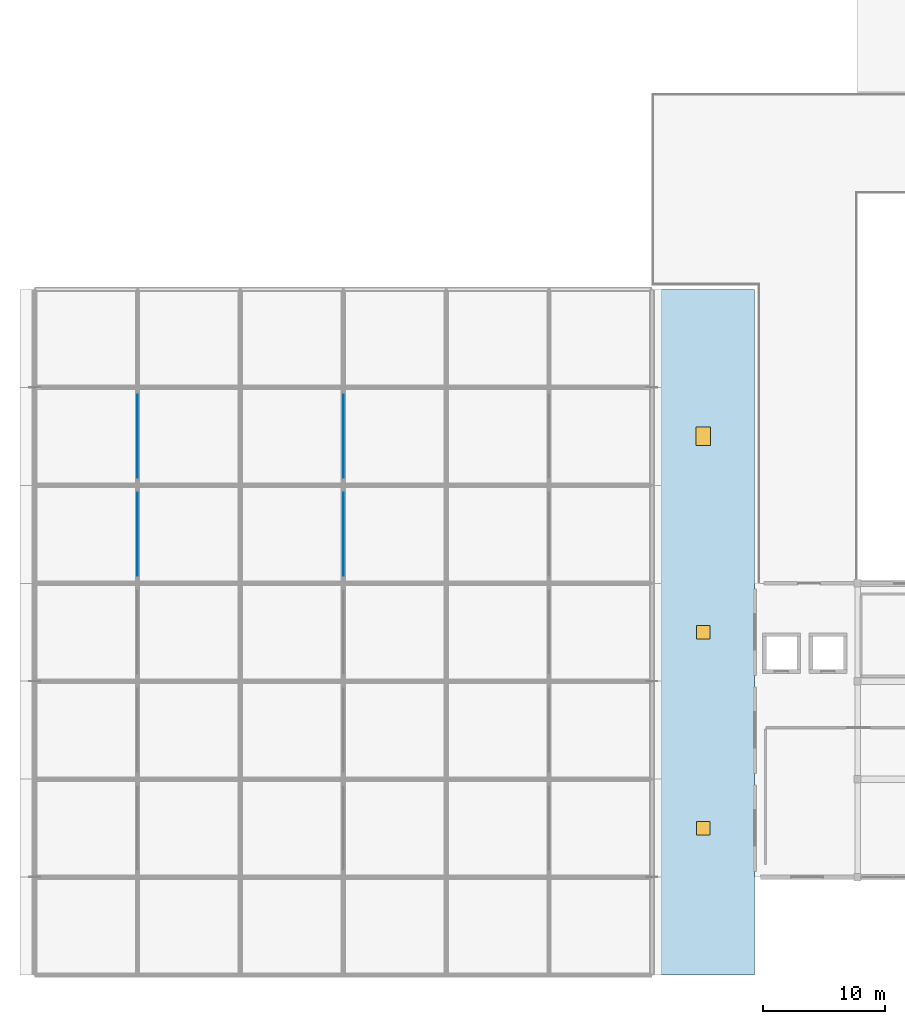
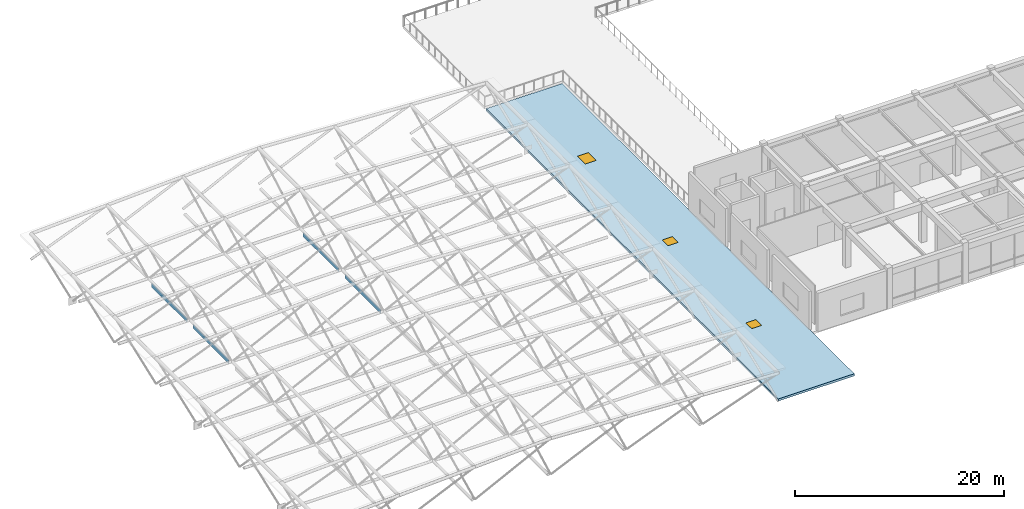
# One storey, part 16 of 37: 4 plates, 3 windows, 1 slab, 3 openings.
"""IFC4 building model written with IfcOpenShell, lengths in metres."""

from ifc_helpers import new_model, si_unit, direction, frame, origin, origin_2d, place, context, subcontext, project, spatial, polyline, rectangle, outline, extrude, material, layer, layer_set, type_object, element, fill, save


model = new_model("IFC4")

# Units and contexts
model_context = context("Model", 3, precision=1e-05, world=origin(), true_north=direction((0.0, 1.0)))
body_context = subcontext(model_context, "Body", "Model", "MODEL_VIEW")
ifc_project = project(units=[si_unit("LENGTHUNIT", "METRE"), si_unit("AREAUNIT", "SQUARE_METRE"), si_unit("VOLUMEUNIT", "CUBIC_METRE"), si_unit("PLANEANGLEUNIT", "RADIAN"), si_unit("MASSUNIT", "GRAM", prefix="KILO")], contexts=[model_context])

# Site, building, storey
site_placement = place(None, origin())
site = spatial("IfcSite", under=ifc_project, at=site_placement, CompositionType="ELEMENT")
building_placement = place(site_placement, origin())
building = spatial("IfcBuilding", under=site, at=building_placement, Name="Naruveol Harbour Congress Hotel", CompositionType="ELEMENT")
storey_placement = place(building_placement, frame((0.0, 0.0, 16.199951171875)))
storey = spatial("IfcBuildingStorey", under=building, at=storey_placement, Name="L03", CompositionType="ELEMENT", Elevation=16.199951171875)

# Plates
ifc_material_1 = material(Name="Precast concrete C40/50", Category="concrete")
ifc_layer_1 = layer(ifc_material_1, 0.0400390625)
ifc_layer_set_1 = layer_set([ifc_layer_1], Name="Precast concrete C40/50")
plate_type = type_object("IfcPlateType", Name="CONGRESS HALL SUSPENDED ACOUSTIC BAFFLE 40", PredefinedType="SHEET", material=ifc_layer_set_1)
for number, where, z_axis, x_axis, name in (
    (1, (8.39990234375, 36.0, -0.949951171875), (0.0, 0.0, 1.0), (1.0, 0.0, 0.0), "Congress Hall suspended acoustic baffle #4.8"),
    (2, (25.199951171875, 36.0, -0.949951171875), (0.0, 0.0, 1.0), (1.0, 0.0, 0.0), "Congress Hall suspended acoustic baffle #4.25"),
    (3, (8.39990234375, 44.0, -0.949951171875), (0.0, 0.0, 1.0), (1.0, 0.0, 0.0), "Congress Hall suspended acoustic baffle #5.8"),
    (4, (25.199951171875, 44.0, -0.949951171875), (0.0, 0.0, 1.0), (1.0, 0.0, 0.0), "Congress Hall suspended acoustic baffle #5.25"),
):
    element("IfcPlate", number, at=place(storey_placement, frame(where, z_axis=z_axis, x_axis=x_axis)), inside=storey, type_object=plate_type, Name=name, PredefinedType="SHEET", context=body_context, shape_type="SweptSolid", body=[
        extrude(rectangle(XDim=0.0400390625, YDim=6.800048828125, at=origin_2d()), origin(), (0.0, 0.0, 1.0), 0.5),
    ])

# Slab, openings, windows
ifc_material_2 = material(Name="Concrete C40/50", Category="concrete")
ifc_layer_2 = layer(ifc_material_2, 0.260009765625)
ifc_layer_set_2 = layer_set([ifc_layer_2], Name="Concrete C40/50")
slab_type = type_object("IfcSlabType", Name="RC PLANTED ROOF GARDEN SLAB 260", PredefinedType="ROOF", material=ifc_layer_set_2)
slab_placement = place(storey_placement, frame((0.0, 0.0, -0.260009765625)))
slab = element("IfcSlab", 5, at=slab_placement, inside=storey, type_object=slab_type, Name="Congress East Foyer planted roof slab", PredefinedType="ROOF", context=body_context, shape_type="SweptSolid", body=[
    extrude(outline(polyline([(50.39990234375, 0.0), (58.800048828125, 0.0), (58.800048828125, 56.0), (50.39990234375, 56.0), (50.39990234375, 0.0)])), origin(), (0.0, 0.0, 1.0), 0.260009765625),
])
opening_1_placement = place(slab_placement, frame((54.60009765625, 12.0, 0.0)))
opening_1 = element("IfcOpeningElement", 6, at=opening_1_placement, cuts=slab, Name="Opening RH-110", PredefinedType="OPENING", context=body_context, shape_type="SweptSolid", body=[
    extrude(rectangle(XDim=1.10009765625, YDim=1.10009765625, at=origin_2d()), origin(), (0.0, 0.0, 1.0), 0.260009765625),
])
opening_2_placement = place(slab_placement, frame((54.60009765625, 28.0, 0.0)))
opening_2 = element("IfcOpeningElement", 7, at=opening_2_placement, cuts=slab, Name="Opening RH-110", PredefinedType="OPENING", context=body_context, shape_type="SweptSolid", body=[
    extrude(rectangle(XDim=1.10009765625, YDim=1.10009765625, at=origin_2d()), origin(), (0.0, 0.0, 1.0), 0.260009765625),
])
opening_3_placement = place(slab_placement, frame((54.60009765625, 44.0, 0.0)))
opening_3 = element("IfcOpeningElement", 8, at=opening_3_placement, cuts=slab, Name="Opening RH-150", PredefinedType="OPENING", context=body_context, shape_type="SweptSolid", body=[
    extrude(rectangle(XDim=1.199951171875, YDim=1.5, at=origin_2d()), origin(), (0.0, 0.0, 1.0), 0.260009765625),
])
ifc_material_3 = material(Name="Low-E Triple Glazing in Thermal Aluminium", Category="aluminium")
window_type_1 = type_object("IfcWindowType", Name="ROOF ACCESS GLAZED HATCH 1100X1100", PartitioningType="SINGLE_PANEL", PredefinedType="SKYLIGHT", material=ifc_material_3)
window_1_placement = place(opening_1_placement, frame((0.0, 0.0, 0.2099609375)))
window_1 = element("IfcWindow", 9, at=window_1_placement, inside=storey, type_object=window_type_1, Name="Roof access hatch RH-110 #6", OverallHeight=1.10009765625, OverallWidth=1.10009765625, PartitioningType="SINGLE_PANEL", PredefinedType="SKYLIGHT", context=body_context, shape_type="SweptSolid", body=[
    extrude(rectangle(XDim=1.10009765625, YDim=1.10009765625, at=origin_2d()), origin(), (0.0, 0.0, 1.0), 0.050048828125),
])
fill(opening_1, window_1)
window_2_placement = place(opening_2_placement, frame((0.0, 0.0, 0.2099609375)))
window_2 = element("IfcWindow", 10, at=window_2_placement, inside=storey, type_object=window_type_1, Name="Roof access hatch RH-110 #7", OverallHeight=1.10009765625, OverallWidth=1.10009765625, PartitioningType="SINGLE_PANEL", PredefinedType="SKYLIGHT", context=body_context, shape_type="SweptSolid", body=[
    extrude(rectangle(XDim=1.10009765625, YDim=1.10009765625, at=origin_2d()), origin(), (0.0, 0.0, 1.0), 0.050048828125),
])
fill(opening_2, window_2)
ifc_material_4 = material(Name="Low-E Triple Glazing in Thermal Aluminium", Category="aluminium")
window_type_2 = type_object("IfcWindowType", Name="SMOKE VENT GLAZED ROOF HATCH 1200X1500", PartitioningType="SINGLE_PANEL", PredefinedType="SKYLIGHT", material=ifc_material_4)
window_3_placement = place(opening_3_placement, frame((0.0, 0.0, 0.2099609375)))
window_3 = element("IfcWindow", 11, at=window_3_placement, inside=storey, type_object=window_type_2, Name="Roof access hatch RH-150 #8", OverallHeight=1.5, OverallWidth=1.199951171875, PartitioningType="SINGLE_PANEL", PredefinedType="SKYLIGHT", context=body_context, shape_type="SweptSolid", body=[
    extrude(rectangle(XDim=1.199951171875, YDim=1.5, at=origin_2d()), origin(), (0.0, 0.0, 1.0), 0.050048828125),
])
fill(opening_3, window_3)

save(model, "model.ifc")
